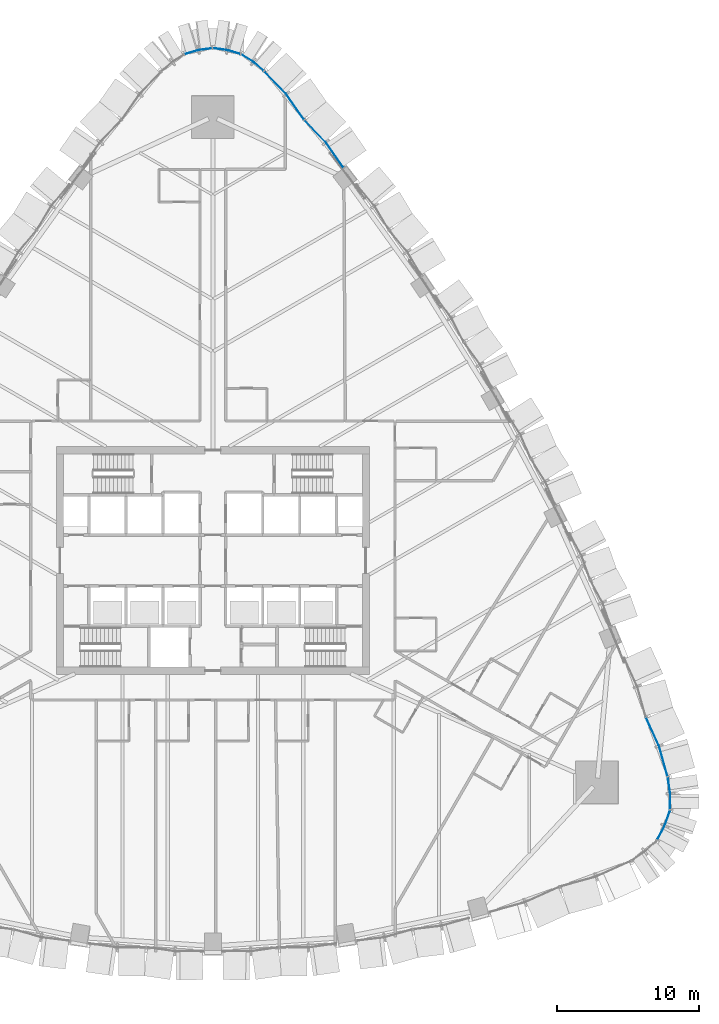
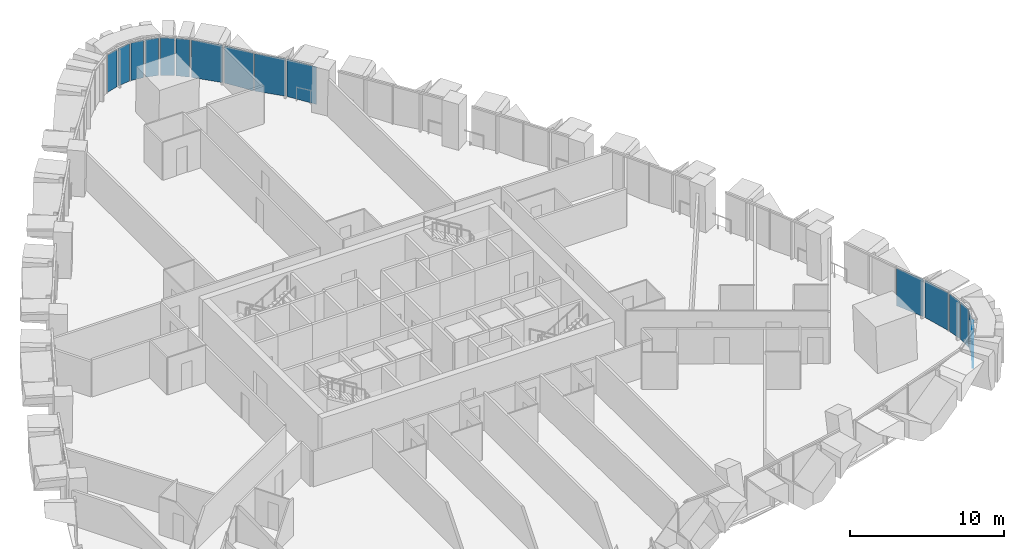
# One storey, part 14 of 24: 16 plates, 7 elements without a shape of their own.
"""IFC4 building model written with IfcOpenShell, lengths in metres."""

import ifcopenshell
import ifcopenshell.guid

model = None  # the IFC model being written
_history = None  # IfcOwnerHistory: only IFC2X3 demands one
_inside = {}  # id of a spatial element -> (the spatial element, [elements in it])
_under = {}  # id of a project, library or spatial element -> (it, [spatial elements below it])
_declared = {}  # id of a project -> (the project, [libraries it declares])
_typed = {}  # id of a type object -> (the type object, [elements of that type])
_made_of = {}  # id of a material, layer set ... -> (it, [elements and type objects made of it])


def new_model(schema):
    """Start an empty IFC model of exactly this schema.

    Asked for "IFC4X3", IfcOpenShell would pick the latest addendum, in which some entities
    have other attributes; the version numbers below select the first issue.
    IFC2X3 requires an IfcOwnerHistory on every rooted entity: one is made here for all.
    """
    global model, _history
    if schema == "IFC4X3":
        model = ifcopenshell.file(schema_version=(4, 3, 0, 0))
    else:
        model = ifcopenshell.file(schema=schema)
    _inside.clear()
    _under.clear()
    _declared.clear()
    _typed.clear()
    _made_of.clear()
    _history = None
    if model.schema == "IFC2X3":
        org = make("IfcOrganization", Name="unknown")
        user = make(
            "IfcPersonAndOrganization",
            ThePerson=make("IfcPerson", FamilyName="unknown"),
            TheOrganization=org,
        )
        app = make(
            "IfcApplication",
            ApplicationDeveloper=org,
            Version="unknown",
            ApplicationFullName="unknown",
            ApplicationIdentifier="unknown",
        )
        _history = make(
            "IfcOwnerHistory",
            OwningUser=user,
            OwningApplication=app,
            ChangeAction="ADDED",
            CreationDate=0,
        )
    return model


def make(cls, **values):
    """One entity of the class cls with the attributes given. An attribute that is None is left unset."""
    return model.create_entity(
        cls, **{name: value for name, value in values.items() if value is not None}
    )


def rooted(cls, **values):
    """An entity with a GlobalId (a new one), such as an element, a storey or a relation."""
    return make(cls, GlobalId=ifcopenshell.guid.new(), OwnerHistory=_history, **values)


def si_unit(unit_type, name, prefix=None):
    """IfcSIUnit, for example si_unit("LENGTHUNIT", "METRE", prefix="MILLI")."""
    return make("IfcSIUnit", UnitType=unit_type, Prefix=prefix, Name=name)


def assignment(units):
    """IfcUnitAssignment: the units of a project."""
    return None if units is None else make("IfcUnitAssignment", Units=units)


def point(xyz):
    """IfcCartesianPoint."""
    return None if xyz is None else make("IfcCartesianPoint", Coordinates=xyz)


def direction(xyz):
    """IfcDirection."""
    return None if xyz is None else make("IfcDirection", DirectionRatios=xyz)


def frame(location, z_axis=None, x_axis=None):
    """IfcAxis2Placement3D, a coordinate frame: its origin and axes. An axis left out is left unset."""
    return make(
        "IfcAxis2Placement3D",
        Location=point(location),
        Axis=direction(z_axis),
        RefDirection=direction(x_axis),
    )


def origin():
    """The frame at (0, 0, 0) with its axes left unset."""
    return frame((0.0, 0.0, 0.0))


def place(relative_to, where):
    """IfcLocalPlacement: puts the frame where relative to a parent placement (None: the world)."""
    return make(
        "IfcLocalPlacement", PlacementRelTo=relative_to, RelativePlacement=where
    )


def context(
    kind, dimensions, precision=None, world=None, true_north=None, identifier=None
):
    """IfcGeometricRepresentationContext, for example the 3D "Model" context."""
    return make(
        "IfcGeometricRepresentationContext",
        ContextIdentifier=identifier,
        ContextType=kind,
        CoordinateSpaceDimension=dimensions,
        Precision=precision,
        WorldCoordinateSystem=world,
        TrueNorth=true_north,
    )


def subcontext(parent, identifier, kind, view, scale=None):
    """IfcGeometricRepresentationSubContext, for example "Body" below "Model"."""
    return make(
        "IfcGeometricRepresentationSubContext",
        ContextIdentifier=identifier,
        ContextType=kind,
        ParentContext=parent,
        TargetScale=scale,
        TargetView=view,
    )


def project(units=None, contexts=None):
    """IfcProject with its units and contexts."""
    return rooted(
        "IfcProject",
        Name="project",
        RepresentationContexts=contexts,
        UnitsInContext=assignment(units),
    )


def spatial(cls, under=None, at=None, **own):
    """A site, building, storey or space (cls), placed at a placement, below another one or the project."""
    s = rooted(cls, ObjectPlacement=at, **own)
    if under is not None:
        _under.setdefault(under.id(), (under, []))[1].append(s)
    return s


def polyline(points):
    """IfcPolyline through the points."""
    return make("IfcPolyline", Points=[point(p) for p in points])


def outline(outer, holes=None, kind="AREA"):
    """IfcArbitraryClosedProfileDef: a profile drawn as a closed curve; with holes, ...WithVoids."""
    if holes is None:
        return make("IfcArbitraryClosedProfileDef", ProfileType=kind, OuterCurve=outer)
    return make(
        "IfcArbitraryProfileDefWithVoids",
        ProfileType=kind,
        OuterCurve=outer,
        InnerCurves=holes,
    )


def extrude(swept, where, along, depth):
    """IfcExtrudedAreaSolid: the profile swept, set in the frame where, extruded along a direction by depth."""
    return make(
        "IfcExtrudedAreaSolid",
        SweptArea=swept,
        Position=where,
        ExtrudedDirection=direction(along),
        Depth=depth,
    )


def shape(context_of_items, identifier, shape_type, items):
    """IfcShapeRepresentation: the items that make up one representation, for example the "Body"."""
    return make(
        "IfcShapeRepresentation",
        ContextOfItems=context_of_items,
        RepresentationIdentifier=identifier,
        RepresentationType=shape_type,
        Items=items,
    )


def material(Name=None, Category=None):
    """IfcMaterial."""
    return make("IfcMaterial", Name=Name, Category=Category)


def layer(
    of_material, thickness, ventilated=None, Name=None, Category=None, Priority=None
):
    """IfcMaterialLayer: one layer of a wall or slab, of a material (None: an air gap)."""
    return make(
        "IfcMaterialLayer",
        Material=of_material,
        LayerThickness=thickness,
        IsVentilated=ventilated,
        Name=Name,
        Category=Category,
        Priority=Priority,
    )


def layer_set(layers, Name=None):
    """IfcMaterialLayerSet."""
    return make("IfcMaterialLayerSet", MaterialLayers=layers, LayerSetName=Name)


def made_of(thing, what):
    """Note that an element or type object is made of a material, layer set ...; save() writes the relation."""
    if what is not None:
        _made_of.setdefault(what.id(), (what, []))[1].append(thing)
    return thing


def type_object(cls, material=None, **own):
    """A type object (cls), such as IfcWallType, which elements share."""
    return made_of(rooted(cls, **own), material)


def element(
    cls,
    number,
    at=None,
    inside=None,
    cuts=None,
    type_object=None,
    material=None,
    context=None,
    identifier="Body",
    shape_type=None,
    held_by="IfcProductDefinitionShape",
    body=None,
    shapes=None,
    **own,
):
    """One element of the class cls, such as IfcWall. Its Tag is "e" and its number.

    at: its placement. inside: the storey or other place that contains it. cuts: it is an
    opening in that element (IfcRelVoidsElement). A single representation is given by context,
    identifier, shape_type and body (its items); several are given by shapes. held_by: the class
    of the entity that holds the representations. save() writes the other relations.
    """
    e = rooted(cls, Tag="e%d" % number, ObjectPlacement=at, **own)
    if body is not None:
        shapes = [shape(context, identifier, shape_type, body)]
    if shapes is not None:
        e.Representation = make(held_by, Representations=shapes)
    if inside is not None:
        _inside.setdefault(inside.id(), (inside, []))[1].append(e)
    if cuts is not None:
        rooted(
            "IfcRelVoidsElement", RelatingBuildingElement=cuts, RelatedOpeningElement=e
        )
    if type_object is not None:
        _typed.setdefault(type_object.id(), (type_object, []))[1].append(e)
    return made_of(e, material)


def aggregate(whole, parts):
    """IfcRelAggregates: a whole, such as a stair, and the parts it consists of."""
    return rooted("IfcRelAggregates", RelatingObject=whole, RelatedObjects=parts)


def save(model, path):
    """Write the relations noted so far, then the file.

    IfcRelAggregates (storeys below a building ...), IfcRelContainedInSpatialStructure (elements
    in a storey), IfcRelDefinesByType, IfcRelAssociatesMaterial and IfcRelDeclares: one each for
    every whole, place, type object, material and project.
    """
    for whole, parts in _under.values():
        aggregate(whole, parts)
    for where, things in _inside.values():
        rooted(
            "IfcRelContainedInSpatialStructure",
            RelatedElements=things,
            RelatingStructure=where,
        )
    for kind, things in _typed.values():
        rooted("IfcRelDefinesByType", RelatedObjects=things, RelatingType=kind)
    for what, things in _made_of.values():
        rooted("IfcRelAssociatesMaterial", RelatedObjects=things, RelatingMaterial=what)
    for by, libraries in _declared.values():
        rooted("IfcRelDeclares", RelatingContext=by, RelatedDefinitions=libraries)
    model.write(path)


model = new_model("IFC4")

# Units and contexts
model_context = context("Model", 3, precision=1e-05, world=origin(), true_north=direction((0.0, 1.0)))
body_context = subcontext(model_context, "Body", "Model", "MODEL_VIEW")
ifc_project = project(units=[si_unit("LENGTHUNIT", "METRE"), si_unit("AREAUNIT", "SQUARE_METRE"), si_unit("VOLUMEUNIT", "CUBIC_METRE"), si_unit("PLANEANGLEUNIT", "RADIAN"), si_unit("MASSUNIT", "GRAM", prefix="KILO")], contexts=[model_context])

# Site, building, storey
site_placement = place(None, origin())
site = spatial("IfcSite", under=ifc_project, at=site_placement, CompositionType="ELEMENT")
building_placement = place(site_placement, origin())
building = spatial("IfcBuilding", under=site, at=building_placement, Name="Sierra Prisma Convention Tower", CompositionType="ELEMENT")
storey_placement = place(building_placement, frame((0.0, 0.0, 55.39990234375)))
storey = spatial("IfcBuildingStorey", under=building, at=storey_placement, Name="L09", CompositionType="ELEMENT", Elevation=55.39990234375)

# Curtain wall, plates
ifc_material_1 = material(Name="Aluminium and glass curtain wall", Category="aluminium")
ifc_layer_1 = layer(ifc_material_1, 0.179931640625)
ifc_layer_set_1 = layer_set([ifc_layer_1], Name="CW-2 Faceted crystal curtain wall")
curtain_wall_type = type_object("IfcCurtainWallType", Name="CW-2 Faceted crystal curtain wall", PredefinedType="NOTDEFINED", material=ifc_layer_set_1)
curtain_wall_1_placement = place(storey_placement, origin())
curtain_wall_1 = element("IfcCurtainWall", 1, at=curtain_wall_1_placement, inside=storey, type_object=curtain_wall_type, Name="CW-2 SE2 L09", PredefinedType="NOTDEFINED")
ifc_material_2 = material(Name="Tinted glass bronze-grey IGU", Category="glass")
ifc_layer_2 = layer(ifc_material_2, 0.028076171875)
ifc_layer_set_2 = layer_set([ifc_layer_2], Name="CW-2 crystal pane")
plate_type = type_object("IfcPlateType", Name="CW-2 crystal pane", PredefinedType="CURTAIN_PANEL", material=ifc_layer_set_2)
plate_1_placement = place(storey_placement, frame((31.25, -19.616943359375, 0.0), z_axis=(0.881416796691, -0.472339317134, 0.0), x_axis=(0.472339317134, 0.881416796691, 0.0)))
plate_1 = element("IfcPlate", 2, at=plate_1_placement, type_object=plate_type, Name="CW-2 pane SE2.1.1", PredefinedType="CURTAIN_PANEL", context=body_context, shape_type="SweptSolid", body=[
    extrude(outline(polyline([(0.0, 0.0), (1.0342678936596916, 0.0), (1.0342678936596916, 2.97998046875), (0.0, 2.97998046875), (0.0, 0.0)])), origin(), (0.0, 0.0, -1.0), 0.028076171875),
])
plate_2_placement = place(storey_placement, frame((32.130126953125, -17.60986328125, 0.0), z_axis=(0.944519093463, -0.328456514752, 0.0), x_axis=(-0.328456514752, -0.944519093463, 0.0)))
plate_2 = element("IfcPlate", 3, at=plate_2_placement, type_object=plate_type, Name="CW-2 pane SE2.1.2", PredefinedType="CURTAIN_PANEL", context=body_context, shape_type="SweptSolid", body=[
    extrude(outline(polyline([(0.0, 0.0), (1.0339256313168286, 0.0), (1.0339256313168286, -2.97998046875), (0.0, -2.97998046875), (0.0, 0.0)])), origin(), (0.0, 0.0, -1.0), 0.028076171875),
])
aggregate(curtain_wall_1, [plate_1, plate_2])

curtain_wall_2_placement = place(storey_placement, origin())
curtain_wall_2 = element("IfcCurtainWall", 4, at=curtain_wall_2_placement, inside=storey, type_object=curtain_wall_type, Name="CW-2 SE3 L09", PredefinedType="NOTDEFINED")
plate_3_placement = place(storey_placement, frame((32.153076171875, -17.475830078125, 0.0), z_axis=(0.999987711788, -0.004957446163, 0.0), x_axis=(0.004957446163, 0.999987711788, 0.0)))
plate_3 = element("IfcPlate", 5, at=plate_3_placement, type_object=plate_type, Name="CW-2 pane SE3.1.1", PredefinedType="CURTAIN_PANEL", context=body_context, shape_type="SweptSolid", body=[
    extrude(outline(polyline([(0.0, 0.0), (1.034192395875131, 0.0), (1.034192395875131, 2.97998046875), (0.0, 2.97998046875), (0.0, 0.0)])), origin(), (0.0, 0.0, -1.0), 0.028076171875),
])
plate_4_placement = place(storey_placement, frame((31.99169921875, -15.290283203125, 0.0), z_axis=(0.98841259831, 0.151791091644, 0.0), x_axis=(0.151791091644, -0.98841259831, 0.0)))
plate_4 = element("IfcPlate", 6, at=plate_4_placement, type_object=plate_type, Name="CW-2 pane SE3.1.2", PredefinedType="CURTAIN_PANEL", context=body_context, shape_type="SweptSolid", body=[
    extrude(outline(polyline([(0.0, 0.0), (1.0342004934204614, 0.0), (1.0342004934204614, -2.97998046875), (0.0, -2.97998046875), (0.0, 0.0)])), origin(), (0.0, 0.0, -1.0), 0.028076171875),
])
aggregate(curtain_wall_2, [plate_3, plate_4])

curtain_wall_3_placement = place(storey_placement, origin())
curtain_wall_3 = element("IfcCurtainWall", 7, at=curtain_wall_3_placement, inside=storey, type_object=curtain_wall_type, Name="CW-2 NE1 L09", PredefinedType="NOTDEFINED")
plate_5_placement = place(storey_placement, frame((31.962646484375, -15.154541015625, 0.0), z_axis=(0.963120557911, 0.269070234194, 0.0), x_axis=(-0.269070234194, 0.963120557911, 0.0)))
plate_5 = element("IfcPlate", 8, at=plate_5_placement, type_object=plate_type, Name="CW-2 pane NE1.1.1", PredefinedType="CURTAIN_PANEL", context=body_context, shape_type="SweptSolid", body=[
    extrude(outline(polyline([(0.0, 0.0), (2.1358996953737104, 0.0), (2.1358996953737104, 2.97998046875), (0.0, 2.97998046875), (0.0, 0.0)])), origin(), (0.0, 0.0, -1.0), 0.028076171875),
])
plate_6_placement = place(storey_placement, frame((30.454345703125, -11.03369140625, 0.0), z_axis=(0.909219906273, 0.416316180368, 0.0), x_axis=(0.416316180368, -0.909219906273, 0.0)))
plate_6 = element("IfcPlate", 9, at=plate_6_placement, type_object=plate_type, Name="CW-2 pane NE1.1.2", PredefinedType="CURTAIN_PANEL", context=body_context, shape_type="SweptSolid", body=[
    extrude(outline(polyline([(0.0, 0.0), (2.135780923681355, 0.0), (2.135780923681355, -2.97998046875), (0.0, -2.97998046875), (0.0, 0.0)])), origin(), (0.0, 0.0, -1.0), 0.028076171875),
])
aggregate(curtain_wall_3, [plate_5, plate_6])

curtain_wall_4_placement = place(storey_placement, origin())
curtain_wall_4 = element("IfcCurtainWall", 10, at=curtain_wall_4_placement, inside=storey, type_object=curtain_wall_type, Name="CW-2 NE6 L09", PredefinedType="NOTDEFINED")
plate_7_placement = place(storey_placement, frame((9.1806640625, 27.63232421875, 0.0), z_axis=(0.820124407682, 0.572185246162, 0.0), x_axis=(-0.572185246162, 0.820124407682, 0.0)))
plate_7 = element("IfcPlate", 11, at=plate_7_placement, type_object=plate_type, Name="CW-2 pane NE6.1.1", PredefinedType="CURTAIN_PANEL", context=body_context, shape_type="SweptSolid", body=[
    extrude(outline(polyline([(0.0, 0.0), (2.0924440695239257, 0.0), (2.0924440695239257, 2.97998046875), (0.0, 2.97998046875), (0.0, 0.0)])), origin(), (0.0, 0.0, -1.0), 0.028076171875),
])
plate_8_placement = place(storey_placement, frame((6.450439453125, 30.9560546875, 0.0), z_axis=(0.720570658963, 0.69338151507, 0.0), x_axis=(0.69338151507, -0.720570658963, 0.0)))
plate_8 = element("IfcPlate", 12, at=plate_8_placement, type_object=plate_type, Name="CW-2 pane NE6.1.2", PredefinedType="CURTAIN_PANEL", context=body_context, shape_type="SweptSolid", body=[
    extrude(outline(polyline([(0.0, 0.0), (2.092186714269079, 0.0), (2.092186714269079, -2.97998046875), (0.0, -2.97998046875), (0.0, 0.0)])), origin(), (0.0, 0.0, -1.0), 0.028076171875),
])
plate_9_placement = place(storey_placement, frame((6.406005859375, 31.01025390625, 0.0), z_axis=(0.820124407682, 0.572185246162, 0.0), x_axis=(-0.572185246162, 0.820124407682, 0.0)))
plate_9 = element("IfcPlate", 13, at=plate_9_placement, type_object=plate_type, Name="CW-2 pane NE6.2.1", PredefinedType="CURTAIN_PANEL", context=body_context, shape_type="SweptSolid", body=[
    extrude(outline(polyline([(0.0, 0.0), (2.0924440695239257, 0.0), (2.0924440695239257, 2.97998046875), (0.0, 2.97998046875), (0.0, 0.0)])), origin(), (0.0, 0.0, -1.0), 0.028076171875),
])
plate_10_placement = place(storey_placement, frame((3.675537109375, 34.333984375, 0.0), z_axis=(0.720512358463, 0.693442096574, 0.0), x_axis=(0.693442096574, -0.720512358463, 0.0)))
plate_10 = element("IfcPlate", 14, at=plate_10_placement, type_object=plate_type, Name="CW-2 pane NE6.2.2", PredefinedType="CURTAIN_PANEL", context=body_context, shape_type="SweptSolid", body=[
    extrude(outline(polyline([(0.0, 0.0), (2.092356004261034, 0.0), (2.092356004261034, -2.97998046875), (0.0, -2.97998046875), (0.0, 0.0)])), origin(), (0.0, 0.0, -1.0), 0.028076171875),
])
aggregate(curtain_wall_4, [plate_7, plate_8, plate_9, plate_10])

curtain_wall_5_placement = place(storey_placement, origin())
curtain_wall_5 = element("IfcCurtainWall", 15, at=curtain_wall_5_placement, inside=storey, type_object=curtain_wall_type, Name="CW-2 N1 L09", PredefinedType="NOTDEFINED")
plate_11_placement = place(storey_placement, frame((3.574951171875, 34.4296875, 0.0), z_axis=(0.656124202493, 0.75465292082, 0.0), x_axis=(-0.75465292082, 0.656124202493, 0.0)))
plate_11 = element("IfcPlate", 16, at=plate_11_placement, type_object=plate_type, Name="CW-2 pane N1.1.1", PredefinedType="CURTAIN_PANEL", context=body_context, shape_type="SweptSolid", body=[
    extrude(outline(polyline([(0.0, 0.0), (0.8870748065510612, 0.0), (0.8870748065510612, 2.9799804687500004), (0.0, 2.9799804687500004), (0.0, 0.0)])), origin(), (0.0, 0.0, -1.0), 0.028076171875),
])
plate_12_placement = place(storey_placement, frame((2.048828125, 35.55908203125, 0.0), z_axis=(0.529949472946, 0.848029218909, 0.0), x_axis=(0.848029218909, -0.529949472946, 0.0)))
plate_12 = element("IfcPlate", 17, at=plate_12_placement, type_object=plate_type, Name="CW-2 pane N1.1.2", PredefinedType="CURTAIN_PANEL", context=body_context, shape_type="SweptSolid", body=[
    extrude(outline(polyline([(0.0, 0.0), (0.8872824066340516, 0.0), (0.8872824066340516, -2.97998046875), (0.0, -2.97998046875), (0.0, 0.0)])), origin(), (0.0, 0.0, -1.0), 0.028076171875),
])
aggregate(curtain_wall_5, [plate_11, plate_12])

curtain_wall_6_placement = place(storey_placement, origin())
curtain_wall_6 = element("IfcCurtainWall", 18, at=curtain_wall_6_placement, inside=storey, type_object=curtain_wall_type, Name="CW-2 N2 L09", PredefinedType="NOTDEFINED")
plate_13_placement = place(storey_placement, frame((1.92431640625, 35.615478515625, 0.0), z_axis=(0.286767117853, 0.958000323653, 0.0), x_axis=(-0.958000323653, 0.286767117853, 0.0)))
plate_13 = element("IfcPlate", 19, at=plate_13_placement, type_object=plate_type, Name="CW-2 pane N2.1.1", PredefinedType="CURTAIN_PANEL", context=body_context, shape_type="SweptSolid", body=[
    extrude(outline(polyline([(0.0, 0.0), (0.8871119295500876, 0.0), (0.8871119295500876, 2.97998046875), (0.0, 2.97998046875), (0.0, 0.0)])), origin(), (0.0, 0.0, -1.0), 0.028076171875),
])
plate_14_placement = place(storey_placement, frame((0.068359375, 36.015625, 0.0), z_axis=(0.133443194011, 0.991056463564, 0.0), x_axis=(0.991056463564, -0.133443194011, 0.0)))
plate_14 = element("IfcPlate", 20, at=plate_14_placement, type_object=plate_type, Name="CW-2 pane N2.1.2", PredefinedType="CURTAIN_PANEL", context=body_context, shape_type="SweptSolid", body=[
    extrude(outline(polyline([(0.0, 0.0), (0.8873304030403211, 0.0), (0.8873304030403211, -2.9799804687499996), (0.0, -2.9799804687499996), (0.0, 0.0)])), origin(), (0.0, 0.0, -1.0), 0.028076171875),
])
aggregate(curtain_wall_6, [plate_13, plate_14])

curtain_wall_7_placement = place(storey_placement, origin())
curtain_wall_7 = element("IfcCurtainWall", 21, at=curtain_wall_7_placement, inside=storey, type_object=curtain_wall_type, Name="CW-2 N3 L09", PredefinedType="NOTDEFINED")
plate_15_placement = place(storey_placement, frame((-0.068359375, 36.015625, 0.0), z_axis=(-0.133443194011, 0.991056463564, 0.0), x_axis=(-0.991056463564, -0.133443194011, 0.0)))
plate_15 = element("IfcPlate", 22, at=plate_15_placement, type_object=plate_type, Name="CW-2 pane N3.1.1", PredefinedType="CURTAIN_PANEL", context=body_context, shape_type="SweptSolid", body=[
    extrude(outline(polyline([(0.0, 0.0), (0.8873304030403211, 0.0), (0.8873304030403211, 2.9799804687499996), (0.0, 2.9799804687499996), (0.0, 0.0)])), origin(), (0.0, 0.0, -1.0), 0.028076171875),
])
plate_16_placement = place(storey_placement, frame((-1.92431640625, 35.615478515625, 0.0), z_axis=(-0.286767117853, 0.958000323653, 0.0), x_axis=(0.958000323653, 0.286767117853, 0.0)))
plate_16 = element("IfcPlate", 23, at=plate_16_placement, type_object=plate_type, Name="CW-2 pane N3.1.2", PredefinedType="CURTAIN_PANEL", context=body_context, shape_type="SweptSolid", body=[
    extrude(outline(polyline([(0.0, 0.0), (0.8871119295500876, 0.0), (0.8871119295500876, -2.97998046875), (0.0, -2.97998046875), (0.0, 0.0)])), origin(), (0.0, 0.0, -1.0), 0.028076171875),
])
aggregate(curtain_wall_7, [plate_15, plate_16])

save(model, "model.ifc")
